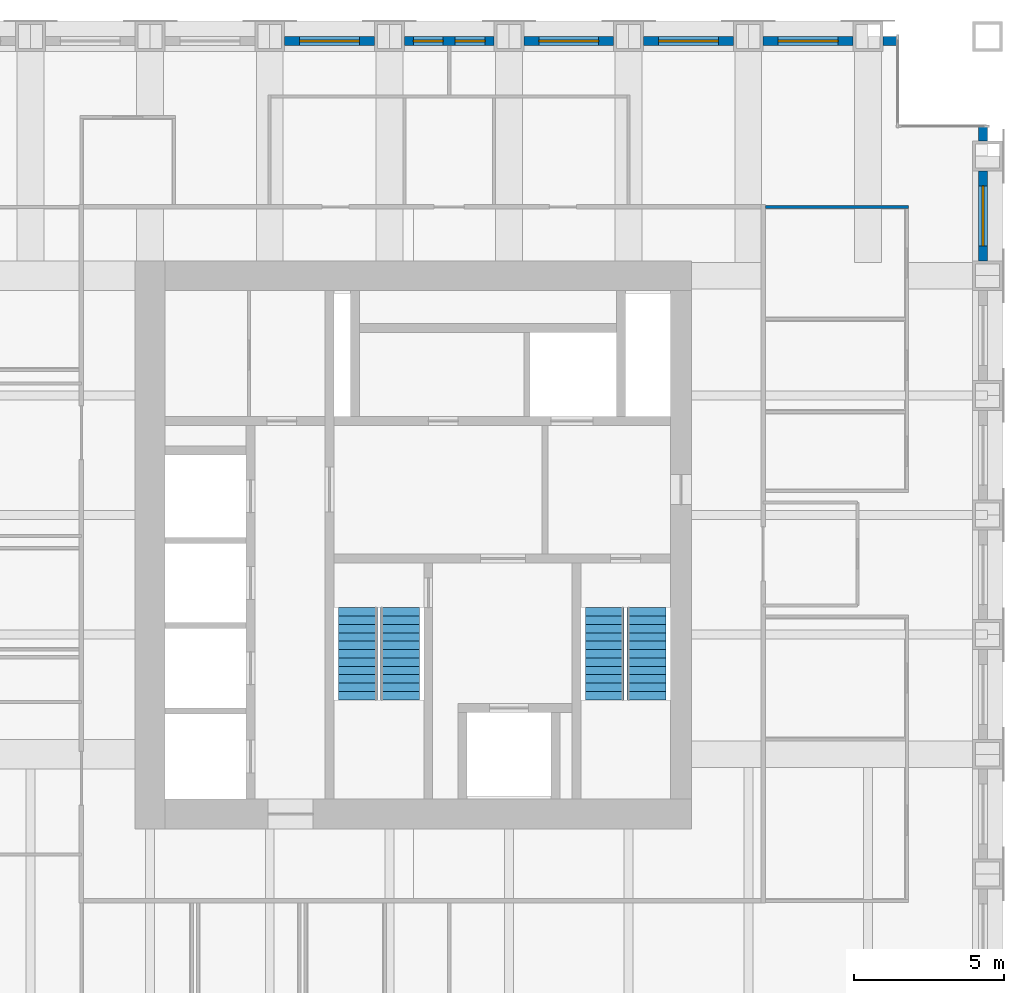
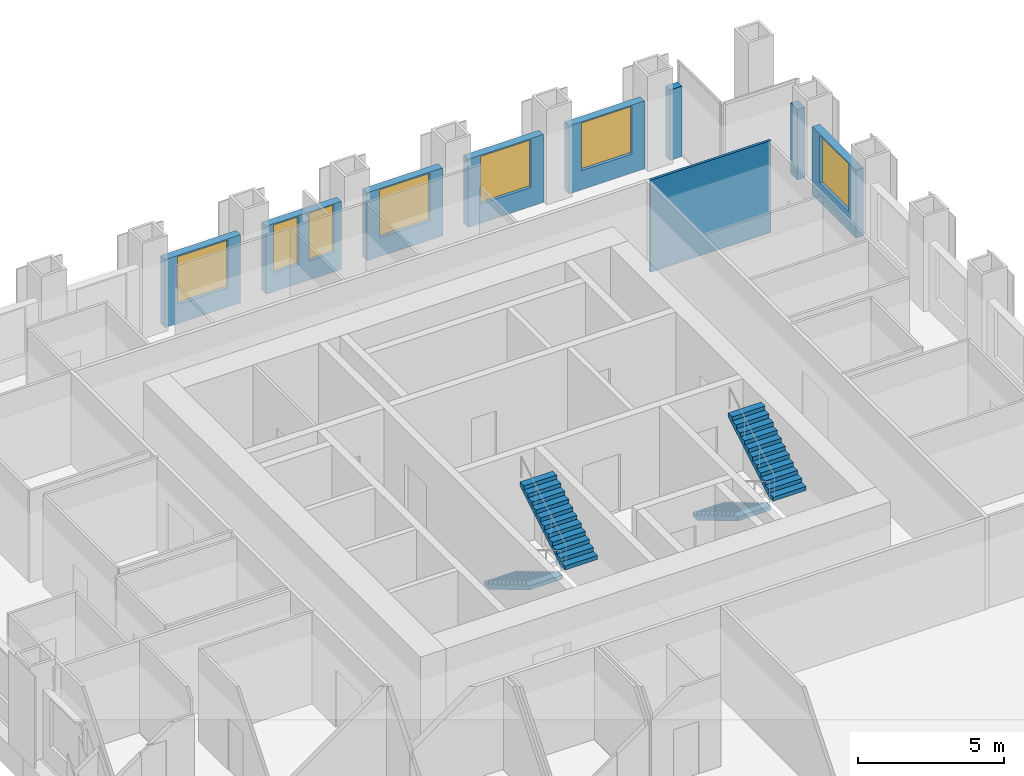
# One storey, part 11 of 13: 9 walls, 7 windows, 4 stair flights, 7 openings, 2 elements without a shape of their own.
"""IFC4 building model written with IfcOpenShell, lengths in metres."""

import ifcopenshell
import ifcopenshell.guid

model = None  # the IFC model being written
_history = None  # IfcOwnerHistory: only IFC2X3 demands one
_inside = {}  # id of a spatial element -> (the spatial element, [elements in it])
_under = {}  # id of a project, library or spatial element -> (it, [spatial elements below it])
_declared = {}  # id of a project -> (the project, [libraries it declares])
_typed = {}  # id of a type object -> (the type object, [elements of that type])
_made_of = {}  # id of a material, layer set ... -> (it, [elements and type objects made of it])


def new_model(schema):
    """Start an empty IFC model of exactly this schema.

    Asked for "IFC4X3", IfcOpenShell would pick the latest addendum, in which some entities
    have other attributes; the version numbers below select the first issue.
    IFC2X3 requires an IfcOwnerHistory on every rooted entity: one is made here for all.
    """
    global model, _history
    if schema == "IFC4X3":
        model = ifcopenshell.file(schema_version=(4, 3, 0, 0))
    else:
        model = ifcopenshell.file(schema=schema)
    _inside.clear()
    _under.clear()
    _declared.clear()
    _typed.clear()
    _made_of.clear()
    _history = None
    if model.schema == "IFC2X3":
        org = make("IfcOrganization", Name="unknown")
        user = make(
            "IfcPersonAndOrganization",
            ThePerson=make("IfcPerson", FamilyName="unknown"),
            TheOrganization=org,
        )
        app = make(
            "IfcApplication",
            ApplicationDeveloper=org,
            Version="unknown",
            ApplicationFullName="unknown",
            ApplicationIdentifier="unknown",
        )
        _history = make(
            "IfcOwnerHistory",
            OwningUser=user,
            OwningApplication=app,
            ChangeAction="ADDED",
            CreationDate=0,
        )
    return model


def make(cls, **values):
    """One entity of the class cls with the attributes given. An attribute that is None is left unset."""
    return model.create_entity(
        cls, **{name: value for name, value in values.items() if value is not None}
    )


def rooted(cls, **values):
    """An entity with a GlobalId (a new one), such as an element, a storey or a relation."""
    return make(cls, GlobalId=ifcopenshell.guid.new(), OwnerHistory=_history, **values)


def si_unit(unit_type, name, prefix=None):
    """IfcSIUnit, for example si_unit("LENGTHUNIT", "METRE", prefix="MILLI")."""
    return make("IfcSIUnit", UnitType=unit_type, Prefix=prefix, Name=name)


def assignment(units):
    """IfcUnitAssignment: the units of a project."""
    return None if units is None else make("IfcUnitAssignment", Units=units)


def point(xyz):
    """IfcCartesianPoint."""
    return None if xyz is None else make("IfcCartesianPoint", Coordinates=xyz)


def direction(xyz):
    """IfcDirection."""
    return None if xyz is None else make("IfcDirection", DirectionRatios=xyz)


def frame(location, z_axis=None, x_axis=None):
    """IfcAxis2Placement3D, a coordinate frame: its origin and axes. An axis left out is left unset."""
    return make(
        "IfcAxis2Placement3D",
        Location=point(location),
        Axis=direction(z_axis),
        RefDirection=direction(x_axis),
    )


def frame_2d(location, x_axis=None):
    """IfcAxis2Placement2D, a coordinate frame in the plane: its origin and x axis."""
    return make(
        "IfcAxis2Placement2D", Location=point(location), RefDirection=direction(x_axis)
    )


def origin():
    """The frame at (0, 0, 0) with its axes left unset."""
    return frame((0.0, 0.0, 0.0))


def place(relative_to, where):
    """IfcLocalPlacement: puts the frame where relative to a parent placement (None: the world)."""
    return make(
        "IfcLocalPlacement", PlacementRelTo=relative_to, RelativePlacement=where
    )


def context(
    kind, dimensions, precision=None, world=None, true_north=None, identifier=None
):
    """IfcGeometricRepresentationContext, for example the 3D "Model" context."""
    return make(
        "IfcGeometricRepresentationContext",
        ContextIdentifier=identifier,
        ContextType=kind,
        CoordinateSpaceDimension=dimensions,
        Precision=precision,
        WorldCoordinateSystem=world,
        TrueNorth=true_north,
    )


def subcontext(parent, identifier, kind, view, scale=None):
    """IfcGeometricRepresentationSubContext, for example "Body" below "Model"."""
    return make(
        "IfcGeometricRepresentationSubContext",
        ContextIdentifier=identifier,
        ContextType=kind,
        ParentContext=parent,
        TargetScale=scale,
        TargetView=view,
    )


def project(units=None, contexts=None):
    """IfcProject with its units and contexts."""
    return rooted(
        "IfcProject",
        Name="project",
        RepresentationContexts=contexts,
        UnitsInContext=assignment(units),
    )


def spatial(cls, under=None, at=None, **own):
    """A site, building, storey or space (cls), placed at a placement, below another one or the project."""
    s = rooted(cls, ObjectPlacement=at, **own)
    if under is not None:
        _under.setdefault(under.id(), (under, []))[1].append(s)
    return s


def polyline(points):
    """IfcPolyline through the points."""
    return make("IfcPolyline", Points=[point(p) for p in points])


def profile(cls, at=None, kind="AREA", **sizes):
    """A parametric profile (cls). Its sizes go by their IFC names, for example OverallWidth=200.0."""
    return make(cls, ProfileType=kind, Position=at, **sizes)


def rectangle(**sizes):
    """IfcRectangleProfileDef."""
    return profile("IfcRectangleProfileDef", **sizes)


def outline(outer, holes=None, kind="AREA"):
    """IfcArbitraryClosedProfileDef: a profile drawn as a closed curve; with holes, ...WithVoids."""
    if holes is None:
        return make("IfcArbitraryClosedProfileDef", ProfileType=kind, OuterCurve=outer)
    return make(
        "IfcArbitraryProfileDefWithVoids",
        ProfileType=kind,
        OuterCurve=outer,
        InnerCurves=holes,
    )


def extrude(swept, where, along, depth):
    """IfcExtrudedAreaSolid: the profile swept, set in the frame where, extruded along a direction by depth."""
    return make(
        "IfcExtrudedAreaSolid",
        SweptArea=swept,
        Position=where,
        ExtrudedDirection=direction(along),
        Depth=depth,
    )


def shape(context_of_items, identifier, shape_type, items):
    """IfcShapeRepresentation: the items that make up one representation, for example the "Body"."""
    return make(
        "IfcShapeRepresentation",
        ContextOfItems=context_of_items,
        RepresentationIdentifier=identifier,
        RepresentationType=shape_type,
        Items=items,
    )


def material(Name=None, Category=None):
    """IfcMaterial."""
    return make("IfcMaterial", Name=Name, Category=Category)


def layer(
    of_material, thickness, ventilated=None, Name=None, Category=None, Priority=None
):
    """IfcMaterialLayer: one layer of a wall or slab, of a material (None: an air gap)."""
    return make(
        "IfcMaterialLayer",
        Material=of_material,
        LayerThickness=thickness,
        IsVentilated=ventilated,
        Name=Name,
        Category=Category,
        Priority=Priority,
    )


def layer_set(layers, Name=None):
    """IfcMaterialLayerSet."""
    return make("IfcMaterialLayerSet", MaterialLayers=layers, LayerSetName=Name)


def made_of(thing, what):
    """Note that an element or type object is made of a material, layer set ...; save() writes the relation."""
    if what is not None:
        _made_of.setdefault(what.id(), (what, []))[1].append(thing)
    return thing


def type_object(cls, material=None, **own):
    """A type object (cls), such as IfcWallType, which elements share."""
    return made_of(rooted(cls, **own), material)


def element(
    cls,
    number,
    at=None,
    inside=None,
    cuts=None,
    type_object=None,
    material=None,
    context=None,
    identifier="Body",
    shape_type=None,
    held_by="IfcProductDefinitionShape",
    body=None,
    shapes=None,
    **own,
):
    """One element of the class cls, such as IfcWall. Its Tag is "e" and its number.

    at: its placement. inside: the storey or other place that contains it. cuts: it is an
    opening in that element (IfcRelVoidsElement). A single representation is given by context,
    identifier, shape_type and body (its items); several are given by shapes. held_by: the class
    of the entity that holds the representations. save() writes the other relations.
    """
    e = rooted(cls, Tag="e%d" % number, ObjectPlacement=at, **own)
    if body is not None:
        shapes = [shape(context, identifier, shape_type, body)]
    if shapes is not None:
        e.Representation = make(held_by, Representations=shapes)
    if inside is not None:
        _inside.setdefault(inside.id(), (inside, []))[1].append(e)
    if cuts is not None:
        rooted(
            "IfcRelVoidsElement", RelatingBuildingElement=cuts, RelatedOpeningElement=e
        )
    if type_object is not None:
        _typed.setdefault(type_object.id(), (type_object, []))[1].append(e)
    return made_of(e, material)


def fill(opening, filler):
    """IfcRelFillsElement: the door or window that sits in an opening."""
    return rooted(
        "IfcRelFillsElement",
        RelatingOpeningElement=opening,
        RelatedBuildingElement=filler,
    )


def aggregate(whole, parts):
    """IfcRelAggregates: a whole, such as a stair, and the parts it consists of."""
    return rooted("IfcRelAggregates", RelatingObject=whole, RelatedObjects=parts)


def save(model, path):
    """Write the relations noted so far, then the file.

    IfcRelAggregates (storeys below a building ...), IfcRelContainedInSpatialStructure (elements
    in a storey), IfcRelDefinesByType, IfcRelAssociatesMaterial and IfcRelDeclares: one each for
    every whole, place, type object, material and project.
    """
    for whole, parts in _under.values():
        aggregate(whole, parts)
    for where, things in _inside.values():
        rooted(
            "IfcRelContainedInSpatialStructure",
            RelatedElements=things,
            RelatingStructure=where,
        )
    for kind, things in _typed.values():
        rooted("IfcRelDefinesByType", RelatedObjects=things, RelatingType=kind)
    for what, things in _made_of.values():
        rooted("IfcRelAssociatesMaterial", RelatedObjects=things, RelatingMaterial=what)
    for by, libraries in _declared.values():
        rooted("IfcRelDeclares", RelatingContext=by, RelatedDefinitions=libraries)
    model.write(path)


model = new_model("IFC4")

# Units and contexts
model_context = context("Model", 3, precision=1e-05, world=origin(), true_north=direction((0.0, 1.0)))
body_context = subcontext(model_context, "Body", "Model", "MODEL_VIEW")
ifc_project = project(units=[si_unit("LENGTHUNIT", "METRE"), si_unit("AREAUNIT", "SQUARE_METRE"), si_unit("VOLUMEUNIT", "CUBIC_METRE"), si_unit("PLANEANGLEUNIT", "RADIAN"), si_unit("MASSUNIT", "GRAM", prefix="KILO")], contexts=[model_context])

# Site, building, storey
site_placement = place(None, origin())
site = spatial("IfcSite", under=ifc_project, at=site_placement, CompositionType="ELEMENT")
building_placement = place(site_placement, origin())
building = spatial("IfcBuilding", under=site, at=building_placement, Name="Rimbunsela Tower", CompositionType="ELEMENT")
storey_placement = place(building_placement, frame((0.0, 0.0, 286.199951171875)))
storey = spatial("IfcBuildingStorey", under=building, at=storey_placement, Name="L69", CompositionType="ELEMENT", Elevation=286.199951171875)

# Wall
ifc_material_1 = material(Name="Gypsum board on steel studs", Category="steel")
ifc_layer_1 = layer(ifc_material_1, 0.10009765625)
ifc_layer_set_1 = layer_set([ifc_layer_1], Name="Office partition 100")
wall_type_1 = type_object("IfcWallType", Name="Office partition 100", PredefinedType="PARTITIONING", material=ifc_layer_set_1)
wall_1_placement = place(storey_placement, frame((38.574951171875, 38.300048828125, 0.0), z_axis=(0.0, 0.0, 1.0), x_axis=(1.0, 0.0, 0.0)))
element("IfcWall", 1, at=wall_1_placement, inside=storey, type_object=wall_type_1, Name="Office partition", PredefinedType="PARTITIONING", context=body_context, shape_type="SweptSolid", body=[
    extrude(rectangle(XDim=4.775146484375, YDim=0.10009765625, at=frame_2d((2.3876953125, 0.0))), origin(), (0.0, 0.0, 1.0), 3.85009765625),
])

# Wall, opening, window
ifc_material_2 = material(Name="Precast concrete fc' 35 MPa", Category="concrete")
ifc_layer_2 = layer(ifc_material_2, 0.300048828125)
ifc_layer_set_2 = layer_set([ifc_layer_2], Name="Precast concrete fc' 35 MPa")
wall_type_2 = type_object("IfcWallType", Name="Precast facade panel 300", PredefinedType="ELEMENTEDWALL", material=ifc_layer_set_2)
wall_2_placement = place(storey_placement, frame((45.85009765625, 36.5, 0.0), z_axis=(0.0, 0.0, 1.0), x_axis=(0.0, 1.0, 0.0)))
wall_2 = element("IfcWall", 2, at=wall_2_placement, inside=storey, type_object=wall_type_2, Name="Facade panel E L69", PredefinedType="ELEMENTEDWALL", context=body_context, shape_type="SweptSolid", body=[
    extrude(rectangle(XDim=3.0, YDim=0.300048828125, at=frame_2d((1.5, 0.0))), origin(), (0.0, 0.0, 1.0), 2.85009765625),
])
opening_1_placement = place(wall_2_placement, frame((0.5, 0.0, 0.800048828125)))
opening_1 = element("IfcOpeningElement", 3, at=opening_1_placement, cuts=wall_2, Name="Opening W1", PredefinedType="OPENING", context=body_context, shape_type="SweptSolid", body=[
    extrude(rectangle(XDim=2.0, YDim=2.0, at=frame_2d((1.0, 1.0))), frame((0.0, 0.159912109375, 0.0), z_axis=(0.0, -1.0, 0.0), x_axis=(1.0, 0.0, 0.0)), (0.0, 0.0, 1.0), 0.320068359375),
])
ifc_material_3 = material(Name="Clear glass in aluminium frame", Category="aluminium")
window_type_1 = type_object("IfcWindowType", Name="Window W1 2000x2000", PartitioningType="DOUBLE_PANEL_VERTICAL", PredefinedType="WINDOW", material=ifc_material_3)
window_1_placement = place(opening_1_placement, origin())
window_1 = element("IfcWindow", 4, at=window_1_placement, inside=storey, type_object=window_type_1, Name="Window L69", OverallHeight=2.0, OverallWidth=2.0, PartitioningType="SINGLE_PANEL", PredefinedType="WINDOW", context=body_context, shape_type="SweptSolid", body=[
    extrude(rectangle(XDim=2.0, YDim=2.0, at=frame_2d((1.0, 1.0))), frame((0.0, 0.030029296875, 0.0), z_axis=(0.0, -1.0, 0.0), x_axis=(1.0, 0.0, 0.0)), (0.0, 0.0, 1.0), 0.06005859375),
])
fill(opening_1, window_1)

# Wall
wall_3_placement = place(storey_placement, frame((45.85009765625, 40.5, 0.0), z_axis=(0.0, 0.0, 1.0), x_axis=(0.0, 1.0, 0.0)))
element("IfcWall", 5, at=wall_3_placement, inside=storey, type_object=wall_type_2, Name="Facade panel E L69", PredefinedType="ELEMENTEDWALL", context=body_context, shape_type="SweptSolid", body=[
    extrude(rectangle(XDim=0.469970703125, YDim=0.300048828125, at=frame_2d((0.23486328125, 0.0))), origin(), (0.0, 0.0, 1.0), 2.949951171875),
])

# Wall, opening, window
wall_4_placement = place(storey_placement, frame((25.5, 43.85009765625, 0.0), z_axis=(0.0, 0.0, 1.0), x_axis=(-1.0, 0.0, 0.0)))
wall_4 = element("IfcWall", 6, at=wall_4_placement, inside=storey, type_object=wall_type_2, Name="Facade panel N L69", PredefinedType="ELEMENTEDWALL", context=body_context, shape_type="SweptSolid", body=[
    extrude(rectangle(XDim=3.0, YDim=0.300048828125, at=frame_2d((1.5, 0.0))), origin(), (0.0, 0.0, 1.0), 2.85009765625),
])
opening_2_placement = place(wall_4_placement, frame((0.5, 0.0, 0.800048828125)))
opening_2 = element("IfcOpeningElement", 7, at=opening_2_placement, cuts=wall_4, Name="Opening W1", PredefinedType="OPENING", context=body_context, shape_type="SweptSolid", body=[
    extrude(rectangle(XDim=2.0, YDim=2.0, at=frame_2d((1.0, 1.0))), frame((0.0, 0.159912109375, 0.0), z_axis=(0.0, -1.0, 0.0), x_axis=(1.0, 0.0, 0.0)), (0.0, 0.0, 1.0), 0.320068359375),
])
window_2_placement = place(opening_2_placement, origin())
window_2 = element("IfcWindow", 8, at=window_2_placement, inside=storey, type_object=window_type_1, Name="Window L69", OverallHeight=2.0, OverallWidth=2.0, PartitioningType="SINGLE_PANEL", PredefinedType="WINDOW", context=body_context, shape_type="SweptSolid", body=[
    extrude(rectangle(XDim=2.0, YDim=2.0, at=frame_2d((1.0, 1.0))), frame((0.0, 0.030029296875, 0.0), z_axis=(0.0, -1.0, 0.0), x_axis=(1.0, 0.0, 0.0)), (0.0, 0.0, 1.0), 0.06005859375),
])
fill(opening_2, window_2)

# Wall, openings, windows
wall_5_placement = place(storey_placement, frame((29.5, 43.85009765625, 0.0), z_axis=(0.0, 0.0, 1.0), x_axis=(-1.0, 0.0, 0.0)))
wall_5 = element("IfcWall", 9, at=wall_5_placement, inside=storey, type_object=wall_type_2, Name="Facade panel N L69", PredefinedType="ELEMENTEDWALL", context=body_context, shape_type="SweptSolid", body=[
    extrude(rectangle(XDim=3.0, YDim=0.300048828125, at=frame_2d((1.5, 0.0))), origin(), (0.0, 0.0, 1.0), 2.85009765625),
])
opening_3_placement = place(wall_5_placement, frame((1.699951171875, 0.0, 0.800048828125)))
opening_3 = element("IfcOpeningElement", 10, at=opening_3_placement, cuts=wall_5, Name="Opening W5", PredefinedType="OPENING", context=body_context, shape_type="SweptSolid", body=[
    extrude(rectangle(XDim=1.0, YDim=2.0, at=frame_2d((0.5, 1.0))), frame((0.0, 0.159912109375, 0.0), z_axis=(0.0, -1.0, 0.0), x_axis=(1.0, 0.0, 0.0)), (0.0, 0.0, 1.0), 0.320068359375),
])
opening_4_placement = place(wall_5_placement, frame((0.300048828125, 0.0, 0.800048828125)))
opening_4 = element("IfcOpeningElement", 11, at=opening_4_placement, cuts=wall_5, Name="Opening W5", PredefinedType="OPENING", context=body_context, shape_type="SweptSolid", body=[
    extrude(rectangle(XDim=1.0, YDim=2.0, at=frame_2d((0.5, 1.0))), frame((0.0, 0.159912109375, 0.0), z_axis=(0.0, -1.0, 0.0), x_axis=(1.0, 0.0, 0.0)), (0.0, 0.0, 1.0), 0.320068359375),
])
ifc_material_4 = material(Name="Clear glass in aluminium frame", Category="aluminium")
window_type_2 = type_object("IfcWindowType", Name="Window W5 1000x2000", PartitioningType="SINGLE_PANEL", PredefinedType="WINDOW", material=ifc_material_4)
window_3_placement = place(opening_3_placement, origin())
window_3 = element("IfcWindow", 12, at=window_3_placement, inside=storey, type_object=window_type_2, Name="Window L69", OverallHeight=2.0, OverallWidth=1.0, PartitioningType="SINGLE_PANEL", PredefinedType="WINDOW", context=body_context, shape_type="SweptSolid", body=[
    extrude(rectangle(XDim=1.0, YDim=2.0, at=frame_2d((0.5, 1.0))), frame((0.0, 0.030029296875, 0.0), z_axis=(0.0, -1.0, 0.0), x_axis=(1.0, 0.0, 0.0)), (0.0, 0.0, 1.0), 0.06005859375),
])
fill(opening_3, window_3)
window_4_placement = place(opening_4_placement, origin())
window_4 = element("IfcWindow", 13, at=window_4_placement, inside=storey, type_object=window_type_2, Name="Window L69", OverallHeight=2.0, OverallWidth=1.0, PartitioningType="SINGLE_PANEL", PredefinedType="WINDOW", context=body_context, shape_type="SweptSolid", body=[
    extrude(rectangle(XDim=1.0, YDim=2.0, at=frame_2d((0.5, 1.0))), frame((0.0, 0.030029296875, 0.0), z_axis=(0.0, -1.0, 0.0), x_axis=(1.0, 0.0, 0.0)), (0.0, 0.0, 1.0), 0.06005859375),
])
fill(opening_4, window_4)

# Wall, opening, window
wall_6_placement = place(storey_placement, frame((33.5, 43.85009765625, 0.0), z_axis=(0.0, 0.0, 1.0), x_axis=(-1.0, 0.0, 0.0)))
wall_6 = element("IfcWall", 14, at=wall_6_placement, inside=storey, type_object=wall_type_2, Name="Facade panel N L69", PredefinedType="ELEMENTEDWALL", context=body_context, shape_type="SweptSolid", body=[
    extrude(rectangle(XDim=3.0, YDim=0.300048828125, at=frame_2d((1.5, 0.0))), origin(), (0.0, 0.0, 1.0), 2.85009765625),
])
opening_5_placement = place(wall_6_placement, frame((0.5, 0.0, 0.800048828125)))
opening_5 = element("IfcOpeningElement", 15, at=opening_5_placement, cuts=wall_6, Name="Opening W1", PredefinedType="OPENING", context=body_context, shape_type="SweptSolid", body=[
    extrude(rectangle(XDim=2.0, YDim=2.0, at=frame_2d((1.0, 1.0))), frame((0.0, 0.159912109375, 0.0), z_axis=(0.0, -1.0, 0.0), x_axis=(1.0, 0.0, 0.0)), (0.0, 0.0, 1.0), 0.320068359375),
])
window_5_placement = place(opening_5_placement, origin())
window_5 = element("IfcWindow", 16, at=window_5_placement, inside=storey, type_object=window_type_1, Name="Window L69", OverallHeight=2.0, OverallWidth=2.0, PartitioningType="SINGLE_PANEL", PredefinedType="WINDOW", context=body_context, shape_type="SweptSolid", body=[
    extrude(rectangle(XDim=2.0, YDim=2.0, at=frame_2d((1.0, 1.0))), frame((0.0, 0.030029296875, 0.0), z_axis=(0.0, -1.0, 0.0), x_axis=(1.0, 0.0, 0.0)), (0.0, 0.0, 1.0), 0.06005859375),
])
fill(opening_5, window_5)

wall_7_placement = place(storey_placement, frame((37.5, 43.85009765625, 0.0), z_axis=(0.0, 0.0, 1.0), x_axis=(-1.0, 0.0, 0.0)))
wall_7 = element("IfcWall", 17, at=wall_7_placement, inside=storey, type_object=wall_type_2, Name="Facade panel N L69", PredefinedType="ELEMENTEDWALL", context=body_context, shape_type="SweptSolid", body=[
    extrude(rectangle(XDim=3.0, YDim=0.300048828125, at=frame_2d((1.5, 0.0))), origin(), (0.0, 0.0, 1.0), 2.85009765625),
])
opening_6_placement = place(wall_7_placement, frame((0.5, 0.0, 0.800048828125)))
opening_6 = element("IfcOpeningElement", 18, at=opening_6_placement, cuts=wall_7, Name="Opening W1", PredefinedType="OPENING", context=body_context, shape_type="SweptSolid", body=[
    extrude(rectangle(XDim=2.0, YDim=2.0, at=frame_2d((1.0, 1.0))), frame((0.0, 0.159912109375, 0.0), z_axis=(0.0, -1.0, 0.0), x_axis=(1.0, 0.0, 0.0)), (0.0, 0.0, 1.0), 0.320068359375),
])
window_6_placement = place(opening_6_placement, origin())
window_6 = element("IfcWindow", 19, at=window_6_placement, inside=storey, type_object=window_type_1, Name="Window L69", OverallHeight=2.0, OverallWidth=2.0, PartitioningType="SINGLE_PANEL", PredefinedType="WINDOW", context=body_context, shape_type="SweptSolid", body=[
    extrude(rectangle(XDim=2.0, YDim=2.0, at=frame_2d((1.0, 1.0))), frame((0.0, 0.030029296875, 0.0), z_axis=(0.0, -1.0, 0.0), x_axis=(1.0, 0.0, 0.0)), (0.0, 0.0, 1.0), 0.06005859375),
])
fill(opening_6, window_6)

wall_8_placement = place(storey_placement, frame((41.5, 43.85009765625, 0.0), z_axis=(0.0, 0.0, 1.0), x_axis=(-1.0, 0.0, 0.0)))
wall_8 = element("IfcWall", 20, at=wall_8_placement, inside=storey, type_object=wall_type_2, Name="Facade panel N L69", PredefinedType="ELEMENTEDWALL", context=body_context, shape_type="SweptSolid", body=[
    extrude(rectangle(XDim=3.0, YDim=0.300048828125, at=frame_2d((1.5, 0.0))), origin(), (0.0, 0.0, 1.0), 2.85009765625),
])
opening_7_placement = place(wall_8_placement, frame((0.5, 0.0, 0.800048828125)))
opening_7 = element("IfcOpeningElement", 21, at=opening_7_placement, cuts=wall_8, Name="Opening W1", PredefinedType="OPENING", context=body_context, shape_type="SweptSolid", body=[
    extrude(rectangle(XDim=2.0, YDim=2.0, at=frame_2d((1.0, 1.0))), frame((0.0, 0.159912109375, 0.0), z_axis=(0.0, -1.0, 0.0), x_axis=(1.0, 0.0, 0.0)), (0.0, 0.0, 1.0), 0.320068359375),
])
window_7_placement = place(opening_7_placement, origin())
window_7 = element("IfcWindow", 22, at=window_7_placement, inside=storey, type_object=window_type_1, Name="Window L69", OverallHeight=2.0, OverallWidth=2.0, PartitioningType="SINGLE_PANEL", PredefinedType="WINDOW", context=body_context, shape_type="SweptSolid", body=[
    extrude(rectangle(XDim=2.0, YDim=2.0, at=frame_2d((1.0, 1.0))), frame((0.0, 0.030029296875, 0.0), z_axis=(0.0, -1.0, 0.0), x_axis=(1.0, 0.0, 0.0)), (0.0, 0.0, 1.0), 0.06005859375),
])
fill(opening_7, window_7)

# Wall
wall_9_placement = place(storey_placement, frame((42.969970703125, 43.85009765625, 0.0), z_axis=(0.0, 0.0, 1.0), x_axis=(-1.0, 0.0, 0.0)))
element("IfcWall", 23, at=wall_9_placement, inside=storey, type_object=wall_type_2, Name="Facade panel N L69", PredefinedType="ELEMENTEDWALL", context=body_context, shape_type="SweptSolid", body=[
    extrude(rectangle(XDim=0.469970703125, YDim=0.300048828125, at=frame_2d((0.23486328125, 0.0))), origin(), (0.0, 0.0, 1.0), 2.949951171875),
])

# Stair, stair flights
ifc_material_5 = material(Name="Concrete fc' 35 MPa", Category="concrete")
stair_type = type_object("IfcStairType", Name="Exit stair 24 risers", PredefinedType="HALF_TURN_STAIR", material=ifc_material_5)
stair_1_placement = place(storey_placement, origin())
stair_1 = element("IfcStair", 24, at=stair_1_placement, inside=storey, type_object=stair_type, Name="Exit stair A L69", PredefinedType="HALF_TURN_STAIR")
ifc_material_6 = material(Name="Concrete fc' 35 MPa", Category="concrete")
stair_flight_type = type_object("IfcStairFlightType", Name="Stair flight 12 risers 167", PredefinedType="STRAIGHT", material=ifc_material_6)
stair_flight_1_placement = place(storey_placement, frame((24.949951171875, 24.89990234375, 0.0), z_axis=(0.0, 0.0, 1.0), x_axis=(0.0, -1.0, 0.0)))
stair_flight_1 = element("IfcStairFlight", 25, at=stair_flight_1_placement, type_object=stair_flight_type, Name="ST-A flight 1", NumberOfRisers=12, NumberOfTreads=11, PredefinedType="STRAIGHT", RiserHeight=0.166666667, TreadLength=0.28, context=body_context, shape_type="SweptSolid", body=[
    extrude(outline(polyline([(0.0, 0.0), (0.0, 0.166748046875), (0.280029296875, 0.166748046875), (0.280029296875, 0.333251953125), (0.56005859375, 0.333251953125), (0.56005859375, 0.5), (0.840087890625, 0.5), (0.840087890625, 0.666748046875), (1.1201171875, 0.666748046875), (1.1201171875, 0.833251953125), (1.39990234375, 0.833251953125), (1.39990234375, 1.0), (1.679931640625, 1.0), (1.679931640625, 1.166748046875), (1.9599609375, 1.166748046875), (1.9599609375, 1.333251953125), (2.239990234375, 1.333251953125), (2.239990234375, 1.5), (2.52001953125, 1.5), (2.52001953125, 1.666748046875), (2.800048828125, 1.666748046875), (2.800048828125, 1.833251953125), (3.080078125, 1.833251953125), (3.080078125, 2.0), (3.080078125, 1.658935546875), (0.29296875, 0.0), (0.0, 0.0)])), frame((0.0, 0.64990234375, 0.0), z_axis=(0.0, -1.0, 0.0), x_axis=(1.0, 0.0, 0.0)), (0.0, 0.0, 1.0), 1.300048828125),
])
stair_flight_2_placement = place(storey_placement, frame((26.35009765625, 21.820068359375, 2.0), z_axis=(0.0, 0.0, 1.0), x_axis=(0.0, 1.0, 0.0)))
stair_flight_2 = element("IfcStairFlight", 26, at=stair_flight_2_placement, type_object=stair_flight_type, Name="ST-A flight 2", NumberOfRisers=12, NumberOfTreads=11, PredefinedType="STRAIGHT", RiserHeight=0.166666667, TreadLength=0.28, context=body_context, shape_type="SweptSolid", body=[
    extrude(outline(polyline([(0.0, 0.0), (0.0, 0.166748046875), (0.280029296875, 0.166748046875), (0.280029296875, 0.333251953125), (0.56005859375, 0.333251953125), (0.56005859375, 0.5), (0.840087890625, 0.5), (0.840087890625, 0.666748046875), (1.1201171875, 0.666748046875), (1.1201171875, 0.833251953125), (1.39990234375, 0.833251953125), (1.39990234375, 1.0), (1.679931640625, 1.0), (1.679931640625, 1.166748046875), (1.9599609375, 1.166748046875), (1.9599609375, 1.333251953125), (2.239990234375, 1.333251953125), (2.239990234375, 1.5), (2.52001953125, 1.5), (2.52001953125, 1.666748046875), (2.800048828125, 1.666748046875), (2.800048828125, 1.833251953125), (3.080078125, 1.833251953125), (3.080078125, 2.0), (3.080078125, 1.658935546875), (0.29296875, 0.0), (0.0, 0.0)])), frame((0.0, 0.64990234375, 0.0), z_axis=(0.0, -1.0, 0.0), x_axis=(1.0, 0.0, 0.0)), (0.0, 0.0, 1.0), 1.300048828125),
])
aggregate(stair_1, [stair_flight_1, stair_flight_2])

stair_2_placement = place(storey_placement, origin())
stair_2 = element("IfcStair", 27, at=stair_2_placement, inside=storey, type_object=stair_type, Name="Exit stair B L69", PredefinedType="HALF_TURN_STAIR")
stair_flight_3_placement = place(storey_placement, frame((33.199951171875, 24.89990234375, 0.0), z_axis=(0.0, 0.0, 1.0), x_axis=(0.0, -1.0, 0.0)))
stair_flight_3 = element("IfcStairFlight", 28, at=stair_flight_3_placement, type_object=stair_flight_type, Name="ST-B flight 1", NumberOfRisers=12, NumberOfTreads=11, PredefinedType="STRAIGHT", RiserHeight=0.166666667, TreadLength=0.28, context=body_context, shape_type="SweptSolid", body=[
    extrude(outline(polyline([(0.0, 0.0), (0.0, 0.166748046875), (0.280029296875, 0.166748046875), (0.280029296875, 0.333251953125), (0.56005859375, 0.333251953125), (0.56005859375, 0.5), (0.840087890625, 0.5), (0.840087890625, 0.666748046875), (1.1201171875, 0.666748046875), (1.1201171875, 0.833251953125), (1.39990234375, 0.833251953125), (1.39990234375, 1.0), (1.679931640625, 1.0), (1.679931640625, 1.166748046875), (1.9599609375, 1.166748046875), (1.9599609375, 1.333251953125), (2.239990234375, 1.333251953125), (2.239990234375, 1.5), (2.52001953125, 1.5), (2.52001953125, 1.666748046875), (2.800048828125, 1.666748046875), (2.800048828125, 1.833251953125), (3.080078125, 1.833251953125), (3.080078125, 2.0), (3.080078125, 1.658935546875), (0.29296875, 0.0), (0.0, 0.0)])), frame((0.0, 0.64990234375, 0.0), z_axis=(0.0, -1.0, 0.0), x_axis=(1.0, 0.0, 0.0)), (0.0, 0.0, 1.0), 1.300048828125),
])
stair_flight_4_placement = place(storey_placement, frame((34.60009765625, 21.820068359375, 2.0), z_axis=(0.0, 0.0, 1.0), x_axis=(0.0, 1.0, 0.0)))
stair_flight_4 = element("IfcStairFlight", 29, at=stair_flight_4_placement, type_object=stair_flight_type, Name="ST-B flight 2", NumberOfRisers=12, NumberOfTreads=11, PredefinedType="STRAIGHT", RiserHeight=0.166666667, TreadLength=0.28, context=body_context, shape_type="SweptSolid", body=[
    extrude(outline(polyline([(0.0, 0.0), (0.0, 0.166748046875), (0.280029296875, 0.166748046875), (0.280029296875, 0.333251953125), (0.56005859375, 0.333251953125), (0.56005859375, 0.5), (0.840087890625, 0.5), (0.840087890625, 0.666748046875), (1.1201171875, 0.666748046875), (1.1201171875, 0.833251953125), (1.39990234375, 0.833251953125), (1.39990234375, 1.0), (1.679931640625, 1.0), (1.679931640625, 1.166748046875), (1.9599609375, 1.166748046875), (1.9599609375, 1.333251953125), (2.239990234375, 1.333251953125), (2.239990234375, 1.5), (2.52001953125, 1.5), (2.52001953125, 1.666748046875), (2.800048828125, 1.666748046875), (2.800048828125, 1.833251953125), (3.080078125, 1.833251953125), (3.080078125, 2.0), (3.080078125, 1.658935546875), (0.29296875, 0.0), (0.0, 0.0)])), frame((0.0, 0.64990234375, 0.0), z_axis=(0.0, -1.0, 0.0), x_axis=(1.0, 0.0, 0.0)), (0.0, 0.0, 1.0), 1.300048828125),
])
aggregate(stair_2, [stair_flight_3, stair_flight_4])

save(model, "model.ifc")
